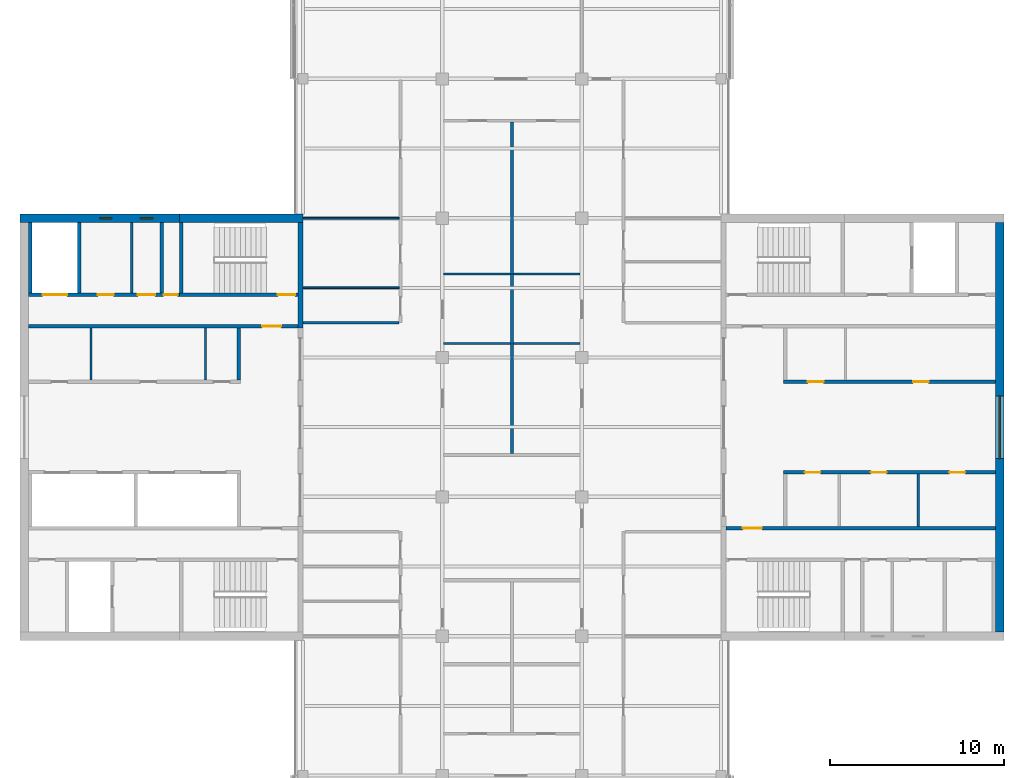
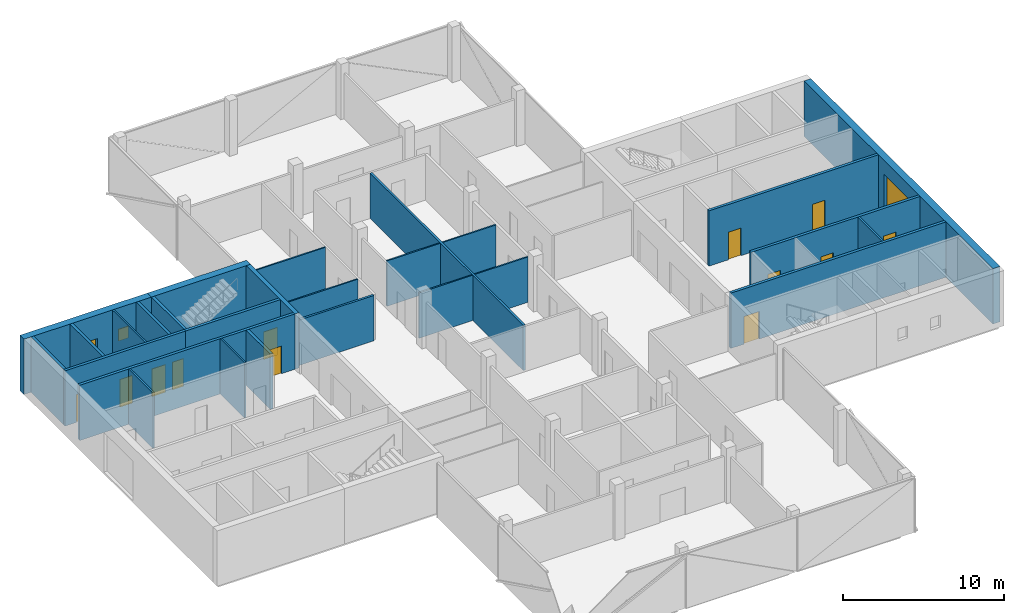
# One storey, part 11 of 16: 27 walls, 12 doors, 3 windows, 15 openings.
"""IFC4 building model written with IfcOpenShell, lengths in metres."""

from ifc_helpers import new_model, si_unit, direction, frame, frame_2d, origin, place, context, subcontext, project, spatial, rectangle, extrude, material, layer, layer_set, constituent, constituent_set, type_object, element, fill, save


model = new_model("IFC4")

# Units and contexts
model_context = context("Model", 3, precision=1e-05, world=origin(), true_north=direction((0.0, 1.0)))
body_context = subcontext(model_context, "Body", "Model", "MODEL_VIEW")
ifc_project = project(units=[si_unit("LENGTHUNIT", "METRE"), si_unit("AREAUNIT", "SQUARE_METRE"), si_unit("VOLUMEUNIT", "CUBIC_METRE"), si_unit("PLANEANGLEUNIT", "RADIAN"), si_unit("MASSUNIT", "GRAM", prefix="KILO")], contexts=[model_context])

# Site, building, storey
site_placement = place(None, origin())
site = spatial("IfcSite", under=ifc_project, at=site_placement, CompositionType="ELEMENT")
building_placement = place(site_placement, origin())
building = spatial("IfcBuilding", under=site, at=building_placement, Name="Crosswind Convention Tower", CompositionType="ELEMENT")
storey_placement = place(building_placement, frame((0.0, 0.0, 274.5)))
storey = spatial("IfcBuildingStorey", under=building, at=storey_placement, Name="L59", CompositionType="ELEMENT", Elevation=274.5)

# Walls
ifc_material_1 = material(Name="Concrete blockwork", Category="masonry")
ifc_layer_1 = layer(ifc_material_1, 0.199951171875)
ifc_layer_set_1 = layer_set([ifc_layer_1], Name="Blockwork partition wall 200")
wall_type_1 = type_object("IfcWallType", Name="Blockwork partition wall 200", PredefinedType="PARTITIONING", material=ifc_layer_set_1)
wall_1_placement = place(storey_placement, frame((104.89990234375, 111.75, 0.0), z_axis=(0.0, 0.0, 1.0), x_axis=(0.0, -1.0, 0.0)))
element("IfcWall", 1, at=wall_1_placement, inside=storey, type_object=wall_type_1, Name="Wall MRSE W L59", PredefinedType="PARTITIONING", context=body_context, shape_type="SweptSolid", body=[
    extrude(rectangle(XDim=4.050048828125, YDim=0.199951171875, at=frame_2d((2.02490234375, 0.0))), origin(), (0.0, 0.0, 1.0), 4.199951171875),
])
ifc_material_2 = material(Name="Concrete C50/60", Category="concrete")
ifc_layer_2 = layer(ifc_material_2, 0.300048828125)
ifc_layer_set_2 = layer_set([ifc_layer_2], Name="Concrete C50/60")
wall_type_2 = type_object("IfcWallType", Name="Concrete inner core wall 300", PredefinedType="SHEAR", material=ifc_layer_set_2)
wall_2_placement = place(storey_placement, frame((112.85009765625, 111.75, 0.0), z_axis=(0.0, 0.0, 1.0), x_axis=(0.0, -1.0, 0.0)))
element("IfcWall", 2, at=wall_2_placement, inside=storey, type_object=wall_type_2, Name="Wall EM W L59", PredefinedType="SHEAR", context=body_context, shape_type="SweptSolid", body=[
    extrude(rectangle(XDim=6.050048828125, YDim=0.300048828125, at=frame_2d((3.02490234375, 0.0))), origin(), (0.0, 0.0, 1.0), 4.199951171875),
])

# Wall, openings, doors
ifc_layer_3 = layer(ifc_material_2, 0.199951171875)
ifc_layer_set_3 = layer_set([ifc_layer_3], Name="Concrete C50/60")
wall_type_3 = type_object("IfcWallType", Name="Concrete shaft and stair wall 200", PredefinedType="SHEAR", material=ifc_layer_set_3)
wall_3_placement = place(storey_placement, frame((140.60009765625, 102.60009765625, 0.0), z_axis=(0.0, 0.0, 1.0), x_axis=(1.0, 0.0, 0.0)))
wall_3 = element("IfcWall", 3, at=wall_3_placement, inside=storey, type_object=wall_type_3, Name="Wall RPFRONT E L59", PredefinedType="SHEAR", context=body_context, shape_type="SweptSolid", body=[
    extrude(rectangle(XDim=12.14990234375, YDim=0.199951171875, at=frame_2d((6.074951171875, 0.0))), origin(), (0.0, 0.0, 1.0), 4.199951171875),
])
opening_1_placement = place(wall_3_placement, frame((1.391845703125, 0.0, 0.0)))
opening_1 = element("IfcOpeningElement", 4, at=opening_1_placement, cuts=wall_3, Name="Opening D106", PredefinedType="OPENING", context=body_context, shape_type="SweptSolid", body=[
    extrude(rectangle(XDim=0.89990234375, YDim=2.10009765625, at=frame_2d((0.449951171875, 1.050048828125))), frame((0.0, 0.10986328125, 0.0), z_axis=(0.0, -1.0, 0.0), x_axis=(1.0, 0.0, 0.0)), (0.0, 0.0, 1.0), 0.219970703125),
])
opening_2_placement = place(wall_3_placement, frame((7.42919921875, 0.0, 0.0)))
opening_2 = element("IfcOpeningElement", 5, at=opening_2_placement, cuts=wall_3, Name="Opening D106", PredefinedType="OPENING", context=body_context, shape_type="SweptSolid", body=[
    extrude(rectangle(XDim=0.89990234375, YDim=2.10009765625, at=frame_2d((0.449951171875, 1.050048828125))), frame((0.0, 0.10986328125, 0.0), z_axis=(0.0, -1.0, 0.0), x_axis=(1.0, 0.0, 0.0)), (0.0, 0.0, 1.0), 0.219970703125),
])
ifc_material_3 = material(Name="Timber door", Category="wood")
door_type_1 = type_object("IfcDoorType", Name="Single leaf door 900x2100", OperationType="NOTDEFINED", PredefinedType="DOOR", material=ifc_material_3)
door_1_placement = place(opening_1_placement, origin())
door_1 = element("IfcDoor", 6, at=door_1_placement, inside=storey, type_object=door_type_1, Name="Door to tenant services room L59", ObjectType="D106", OperationType="SINGLE_SWING_RIGHT", OverallHeight=2.10009765625, OverallWidth=0.89990234375, PredefinedType="DOOR", context=body_context, shape_type="SweptSolid", body=[
    extrude(rectangle(XDim=0.89990234375, YDim=2.10009765625, at=frame_2d((0.449951171875, 1.050048828125))), frame((0.0, 0.02490234375, 0.0), z_axis=(0.0, -1.0, 0.0), x_axis=(1.0, 0.0, 0.0)), (0.0, 0.0, 1.0), 0.050048828125),
])
fill(opening_1, door_1)
door_2_placement = place(opening_2_placement, origin())
door_2 = element("IfcDoor", 7, at=door_2_placement, inside=storey, type_object=door_type_1, Name="Door to copy and print room L59", ObjectType="D106", OperationType="SINGLE_SWING_RIGHT", OverallHeight=2.10009765625, OverallWidth=0.89990234375, PredefinedType="DOOR", context=body_context, shape_type="SweptSolid", body=[
    extrude(rectangle(XDim=0.89990234375, YDim=2.10009765625, at=frame_2d((0.449951171875, 1.050048828125))), frame((0.0, 0.02490234375, 0.0), z_axis=(0.0, -1.0, 0.0), x_axis=(1.0, 0.0, 0.0)), (0.0, 0.0, 1.0), 0.050048828125),
])
fill(opening_2, door_2)

wall_4_placement = place(storey_placement, frame((140.60009765625, 97.39990234375, 0.0), z_axis=(0.0, 0.0, 1.0), x_axis=(1.0, 0.0, 0.0)))
wall_4 = element("IfcWall", 8, at=wall_4_placement, inside=storey, type_object=wall_type_3, Name="Wall RMFRONT E L59", PredefinedType="SHEAR", context=body_context, shape_type="SweptSolid", body=[
    extrude(rectangle(XDim=12.14990234375, YDim=0.199951171875, at=frame_2d((6.074951171875, 0.0))), origin(), (0.0, 0.0, 1.0), 4.199951171875),
])
opening_3_placement = place(wall_4_placement, frame((1.21240234375, 0.0, 0.0)))
opening_3 = element("IfcOpeningElement", 9, at=opening_3_placement, cuts=wall_4, Name="Opening D106", PredefinedType="OPENING", context=body_context, shape_type="SweptSolid", body=[
    extrude(rectangle(XDim=0.89990234375, YDim=2.10009765625, at=frame_2d((0.449951171875, 1.050048828125))), frame((0.0, 0.10986328125, 0.0), z_axis=(0.0, -1.0, 0.0), x_axis=(1.0, 0.0, 0.0)), (0.0, 0.0, 1.0), 0.219970703125),
])
opening_4_placement = place(wall_4_placement, frame((5.008056640625, 0.0, 0.0)))
opening_4 = element("IfcOpeningElement", 10, at=opening_4_placement, cuts=wall_4, Name="Opening D106", PredefinedType="OPENING", context=body_context, shape_type="SweptSolid", body=[
    extrude(rectangle(XDim=0.89990234375, YDim=2.10009765625, at=frame_2d((0.449951171875, 1.050048828125))), frame((0.0, 0.10986328125, 0.0), z_axis=(0.0, -1.0, 0.0), x_axis=(1.0, 0.0, 0.0)), (0.0, 0.0, 1.0), 0.219970703125),
])
opening_5_placement = place(wall_4_placement, frame((9.5205078125, 0.0, 0.0)))
opening_5 = element("IfcOpeningElement", 11, at=opening_5_placement, cuts=wall_4, Name="Opening D106", PredefinedType="OPENING", context=body_context, shape_type="SweptSolid", body=[
    extrude(rectangle(XDim=0.89990234375, YDim=2.10009765625, at=frame_2d((0.449951171875, 1.050048828125))), frame((0.0, 0.10986328125, 0.0), z_axis=(0.0, -1.0, 0.0), x_axis=(1.0, 0.0, 0.0)), (0.0, 0.0, 1.0), 0.219970703125),
])
door_3_placement = place(opening_3_placement, frame((0.89990234375, 0.0, 0.0), z_axis=(0.0, 0.0, 1.0), x_axis=(-1.0, 0.0, 0.0)))
door_3 = element("IfcDoor", 12, at=door_3_placement, inside=storey, type_object=door_type_1, Name="Door to copy and print room L59", ObjectType="D106", OperationType="SINGLE_SWING_LEFT", OverallHeight=2.10009765625, OverallWidth=0.89990234375, PredefinedType="DOOR", context=body_context, shape_type="SweptSolid", body=[
    extrude(rectangle(XDim=0.89990234375, YDim=2.10009765625, at=frame_2d((0.449951171875, 1.050048828125))), frame((0.0, 0.02490234375, 0.0), z_axis=(0.0, -1.0, 0.0), x_axis=(1.0, 0.0, 0.0)), (0.0, 0.0, 1.0), 0.050048828125),
])
fill(opening_3, door_3)
door_4_placement = place(opening_4_placement, frame((0.89990234375, 0.0, 0.0), z_axis=(0.0, 0.0, 1.0), x_axis=(-1.0, 0.0, 0.0)))
door_4 = element("IfcDoor", 13, at=door_4_placement, inside=storey, type_object=door_type_1, Name="Door to meeting room L59", ObjectType="D106", OperationType="SINGLE_SWING_LEFT", OverallHeight=2.10009765625, OverallWidth=0.89990234375, PredefinedType="DOOR", context=body_context, shape_type="SweptSolid", body=[
    extrude(rectangle(XDim=0.89990234375, YDim=2.10009765625, at=frame_2d((0.449951171875, 1.050048828125))), frame((0.0, 0.02490234375, 0.0), z_axis=(0.0, -1.0, 0.0), x_axis=(1.0, 0.0, 0.0)), (0.0, 0.0, 1.0), 0.050048828125),
])
fill(opening_4, door_4)
door_5_placement = place(opening_5_placement, frame((0.89990234375, 0.0, 0.0), z_axis=(0.0, 0.0, 1.0), x_axis=(-1.0, 0.0, 0.0)))
door_5 = element("IfcDoor", 14, at=door_5_placement, inside=storey, type_object=door_type_1, Name="Door to pantry L59", ObjectType="D106", OperationType="SINGLE_SWING_LEFT", OverallHeight=2.10009765625, OverallWidth=0.89990234375, PredefinedType="DOOR", context=body_context, shape_type="SweptSolid", body=[
    extrude(rectangle(XDim=0.89990234375, YDim=2.10009765625, at=frame_2d((0.449951171875, 1.050048828125))), frame((0.0, 0.02490234375, 0.0), z_axis=(0.0, -1.0, 0.0), x_axis=(1.0, 0.0, 0.0)), (0.0, 0.0, 1.0), 0.050048828125),
])
fill(opening_5, door_5)

# Wall, opening, door
wall_5_placement = place(storey_placement, frame((137.300048828125, 94.199951171875, 0.0), z_axis=(0.0, 0.0, 1.0), x_axis=(1.0, 0.0, 0.0)))
wall_5 = element("IfcWall", 15, at=wall_5_placement, inside=storey, type_object=wall_type_3, Name="Wall HM E L59", PredefinedType="SHEAR", context=body_context, shape_type="SweptSolid", body=[
    extrude(rectangle(XDim=15.449951171875, YDim=0.199951171875, at=frame_2d((7.72509765625, 0.0))), origin(), (0.0, 0.0, 1.0), 4.199951171875),
])
opening_6_placement = place(wall_5_placement, frame((0.949951171875, 0.0, 0.0)))
opening_6 = element("IfcOpeningElement", 16, at=opening_6_placement, cuts=wall_5, Name="Opening D104", PredefinedType="OPENING", context=body_context, shape_type="SweptSolid", body=[
    extrude(rectangle(XDim=1.10009765625, YDim=2.10009765625, at=frame_2d((0.550048828125, 1.050048828125))), frame((0.0, 0.10986328125, 0.0), z_axis=(0.0, -1.0, 0.0), x_axis=(1.0, 0.0, 0.0)), (0.0, 0.0, 1.0), 0.219970703125),
])
ifc_material_4 = material(Name="Steel fire door", Category="steel")
door_type_2 = type_object("IfcDoorType", Name="Fire-rated single door 1100x2100", OperationType="NOTDEFINED", PredefinedType="DOOR", material=ifc_material_4)
door_6_placement = place(opening_6_placement, origin())
door_6 = element("IfcDoor", 17, at=door_6_placement, inside=storey, type_object=door_type_2, Name="Corridor door L59", ObjectType="D104", OperationType="SINGLE_SWING_LEFT", OverallHeight=2.10009765625, OverallWidth=1.10009765625, PredefinedType="DOOR", context=body_context, shape_type="SweptSolid", body=[
    extrude(rectangle(XDim=1.10009765625, YDim=2.10009765625, at=frame_2d((0.550048828125, 1.050048828125))), frame((0.0, 0.02490234375, 0.0), z_axis=(0.0, -1.0, 0.0), x_axis=(1.0, 0.0, 0.0)), (0.0, 0.0, 1.0), 0.050048828125),
])
fill(opening_6, door_6)

# Wall
wall_6_placement = place(storey_placement, frame((109.300048828125, 105.699951171875, 0.0), z_axis=(0.0, 0.0, 1.0), x_axis=(0.0, -1.0, 0.0)))
element("IfcWall", 18, at=wall_6_placement, inside=storey, type_object=wall_type_3, Name="Wall RMEND W L59", PredefinedType="SHEAR", context=body_context, shape_type="SweptSolid", body=[
    extrude(rectangle(XDim=3.0, YDim=0.199951171875, at=frame_2d((1.5, 0.0))), origin(), (0.0, 0.0, 1.0), 4.199951171875),
])

# Wall, opening, door
wall_7_placement = place(storey_placement, frame((112.699951171875, 105.800048828125, 0.0), z_axis=(0.0, 0.0, 1.0), x_axis=(-1.0, 0.0, 0.0)))
wall_7 = element("IfcWall", 19, at=wall_7_placement, inside=storey, type_object=wall_type_3, Name="Wall HM W L59", PredefinedType="SHEAR", context=body_context, shape_type="SweptSolid", body=[
    extrude(rectangle(XDim=15.449951171875, YDim=0.199951171875, at=frame_2d((7.72509765625, 0.0))), origin(), (0.0, 0.0, 1.0), 4.199951171875),
])
opening_7_placement = place(wall_7_placement, frame((0.949951171875, 0.0, 0.0)))
opening_7 = element("IfcOpeningElement", 20, at=opening_7_placement, cuts=wall_7, Name="Opening D104", PredefinedType="OPENING", context=body_context, shape_type="SweptSolid", body=[
    extrude(rectangle(XDim=1.10009765625, YDim=2.10009765625, at=frame_2d((0.550048828125, 1.050048828125))), frame((0.0, 0.10986328125, 0.0), z_axis=(0.0, -1.0, 0.0), x_axis=(1.0, 0.0, 0.0)), (0.0, 0.0, 1.0), 0.219970703125),
])
door_7_placement = place(opening_7_placement, origin())
door_7 = element("IfcDoor", 21, at=door_7_placement, inside=storey, type_object=door_type_2, Name="Corridor door L59", ObjectType="D104", OperationType="SINGLE_SWING_LEFT", OverallHeight=2.10009765625, OverallWidth=1.10009765625, PredefinedType="DOOR", context=body_context, shape_type="SweptSolid", body=[
    extrude(rectangle(XDim=1.10009765625, YDim=2.10009765625, at=frame_2d((0.550048828125, 1.050048828125))), frame((0.0, 0.02490234375, 0.0), z_axis=(0.0, -1.0, 0.0), x_axis=(1.0, 0.0, 0.0)), (0.0, 0.0, 1.0), 0.050048828125),
])
fill(opening_7, door_7)

# Walls
for number, where, z_axis, x_axis, name in (
    (22, (106.0, 111.75, 0.0), (0.0, 0.0, 1.0), (0.0, -1.0, 0.0), "Wall MSE W L59"),
    (23, (100.14990234375, 111.75, 0.0), (0.0, 0.0, 1.0), (0.0, -1.0, 0.0), "Wall MFSW W L59"),
    (24, (97.35009765625, 111.75, 0.0), (0.0, 0.0, 1.0), (0.0, -1.0, 0.0), "Wall MFSE W L59"),
):
    element("IfcWall", number, at=place(storey_placement, frame(where, z_axis=z_axis, x_axis=x_axis)), inside=storey, type_object=wall_type_3, Name=name, PredefinedType="SHEAR", context=body_context, shape_type="SweptSolid", body=[
        extrude(rectangle(XDim=4.050048828125, YDim=0.199951171875, at=frame_2d((2.02490234375, 0.0))), origin(), (0.0, 0.0, 1.0), 4.199951171875),
    ])

# Wall, opening, door
wall_8_placement = place(storey_placement, frame((112.699951171875, 107.60009765625, 0.0), z_axis=(0.0, 0.0, 1.0), x_axis=(-1.0, 0.0, 0.0)))
wall_8 = element("IfcWall", 25, at=wall_8_placement, inside=storey, type_object=wall_type_3, Name="Wall MCW W L59", PredefinedType="SHEAR", context=body_context, shape_type="SweptSolid", body=[
    extrude(rectangle(XDim=6.800048828125, YDim=0.199951171875, at=frame_2d((3.39990234375, 0.0))), origin(), (0.0, 0.0, 1.0), 4.199951171875),
])
opening_8_placement = place(wall_8_placement, frame((0.14990234375, 0.0, 0.0)))
opening_8 = element("IfcOpeningElement", 26, at=opening_8_placement, cuts=wall_8, Name="Opening D103", PredefinedType="OPENING", context=body_context, shape_type="SweptSolid", body=[
    extrude(rectangle(XDim=1.0, YDim=2.10009765625, at=frame_2d((0.5, 1.050048828125))), frame((0.0, 0.10986328125, 0.0), z_axis=(0.0, -1.0, 0.0), x_axis=(1.0, 0.0, 0.0)), (0.0, 0.0, 1.0), 0.219970703125),
])
door_type_3 = type_object("IfcDoorType", Name="Fire-rated single door 1000x2100", OperationType="NOTDEFINED", PredefinedType="DOOR", material=ifc_material_4)
door_8_placement = place(opening_8_placement, frame((1.0, 0.0, 0.0), z_axis=(0.0, 0.0, 1.0), x_axis=(-1.0, 0.0, 0.0)))
door_8 = element("IfcDoor", 27, at=door_8_placement, inside=storey, type_object=door_type_3, Name="Stair ST4 door L59", ObjectType="D103", OperationType="SINGLE_SWING_RIGHT", OverallHeight=2.10009765625, OverallWidth=1.0, PredefinedType="DOOR", context=body_context, shape_type="SweptSolid", body=[
    extrude(rectangle(XDim=1.0, YDim=2.10009765625, at=frame_2d((0.5, 1.050048828125))), frame((0.0, 0.02490234375, 0.0), z_axis=(0.0, -1.0, 0.0), x_axis=(1.0, 0.0, 0.0)), (0.0, 0.0, 1.0), 0.050048828125),
])
fill(opening_8, door_8)

# Wall, openings, doors
wall_9_placement = place(storey_placement, frame((105.89990234375, 107.60009765625, 0.0), z_axis=(0.0, 0.0, 1.0), x_axis=(-1.0, 0.0, 0.0)))
wall_9 = element("IfcWall", 28, at=wall_9_placement, inside=storey, type_object=wall_type_3, Name="Wall MCX W L59", PredefinedType="SHEAR", context=body_context, shape_type="SweptSolid", body=[
    extrude(rectangle(XDim=8.64990234375, YDim=0.199951171875, at=frame_2d((4.324951171875, 0.0))), origin(), (0.0, 0.0, 1.0), 4.199951171875),
])
opening_9_placement = place(wall_9_placement, frame((0.10009765625, 0.0, 0.0)))
opening_9 = element("IfcOpeningElement", 29, at=opening_9_placement, cuts=wall_9, Name="Opening D105", PredefinedType="OPENING", context=body_context, shape_type="SweptSolid", body=[
    extrude(rectangle(XDim=0.800048828125, YDim=2.10009765625, at=frame_2d((0.39990234375, 1.050048828125))), frame((0.0, 0.10986328125, 0.0), z_axis=(0.0, -1.0, 0.0), x_axis=(1.0, 0.0, 0.0)), (0.0, 0.0, 1.0), 0.219970703125),
])
opening_10_placement = place(wall_9_placement, frame((1.3876953125, 0.0, 0.0)))
opening_10 = element("IfcOpeningElement", 30, at=opening_10_placement, cuts=wall_9, Name="Opening D103", PredefinedType="OPENING", context=body_context, shape_type="SweptSolid", body=[
    extrude(rectangle(XDim=1.0, YDim=2.10009765625, at=frame_2d((0.5, 1.050048828125))), frame((0.0, 0.10986328125, 0.0), z_axis=(0.0, -1.0, 0.0), x_axis=(1.0, 0.0, 0.0)), (0.0, 0.0, 1.0), 0.219970703125),
])
opening_11_placement = place(wall_9_placement, frame((3.775146484375, 0.0, 0.0)))
opening_11 = element("IfcOpeningElement", 31, at=opening_11_placement, cuts=wall_9, Name="Opening D106", PredefinedType="OPENING", context=body_context, shape_type="SweptSolid", body=[
    extrude(rectangle(XDim=0.89990234375, YDim=2.10009765625, at=frame_2d((0.449951171875, 1.050048828125))), frame((0.0, 0.10986328125, 0.0), z_axis=(0.0, -1.0, 0.0), x_axis=(1.0, 0.0, 0.0)), (0.0, 0.0, 1.0), 0.219970703125),
])
opening_12_placement = place(wall_9_placement, frame((6.449951171875, 0.0, 0.0)))
opening_12 = element("IfcOpeningElement", 32, at=opening_12_placement, cuts=wall_9, Name="Opening LD2", PredefinedType="OPENING", context=body_context, shape_type="SweptSolid", body=[
    extrude(rectangle(XDim=1.39990234375, YDim=2.10009765625, at=frame_2d((0.699951171875, 1.050048828125))), frame((0.0, 0.10986328125, 0.0), z_axis=(0.0, -1.0, 0.0), x_axis=(1.0, 0.0, 0.0)), (0.0, 0.0, 1.0), 0.219970703125),
])
door_9_placement = place(opening_10_placement, frame((1.0, 0.0, 0.0), z_axis=(0.0, 0.0, 1.0), x_axis=(-1.0, 0.0, 0.0)))
door_9 = element("IfcDoor", 33, at=door_9_placement, inside=storey, type_object=door_type_3, Name="Door to accessible wc L59", ObjectType="D103", OperationType="SINGLE_SWING_LEFT", OverallHeight=2.10009765625, OverallWidth=1.0, PredefinedType="DOOR", context=body_context, shape_type="SweptSolid", body=[
    extrude(rectangle(XDim=1.0, YDim=2.10009765625, at=frame_2d((0.5, 1.050048828125))), frame((0.0, 0.02490234375, 0.0), z_axis=(0.0, -1.0, 0.0), x_axis=(1.0, 0.0, 0.0)), (0.0, 0.0, 1.0), 0.050048828125),
])
fill(opening_10, door_9)
ifc_material_5 = material(Name="Stainless steel", Category="steel")
door_type_4 = type_object("IfcDoorType", Name="Lift landing door 1400x2100", OperationType="DOUBLE_DOOR_SLIDING", PredefinedType="DOOR", material=ifc_material_5)
door_10_placement = place(opening_12_placement, origin())
door_10 = element("IfcDoor", 34, at=door_10_placement, inside=storey, type_object=door_type_4, Name="Landing door SV2 L59", ObjectType="LD2", OperationType="DOUBLE_DOOR_SLIDING", OverallHeight=2.10009765625, OverallWidth=1.39990234375, PredefinedType="DOOR", context=body_context, shape_type="SweptSolid", body=[
    extrude(rectangle(XDim=1.39990234375, YDim=2.10009765625, at=frame_2d((0.699951171875, 1.050048828125))), frame((0.0, 0.02490234375, 0.0), z_axis=(0.0, -1.0, 0.0), x_axis=(1.0, 0.0, 0.0)), (0.0, 0.0, 1.0), 0.050048828125),
])
fill(opening_12, door_10)
door_type_5 = type_object("IfcDoorType", Name="Riser access door 800x2100", OperationType="NOTDEFINED", PredefinedType="DOOR", material=ifc_material_4)
door_11_placement = place(opening_9_placement, frame((0.800048828125, 0.0, 0.0), z_axis=(0.0, 0.0, 1.0), x_axis=(-1.0, 0.0, 0.0)))
door_11 = element("IfcDoor", 35, at=door_11_placement, inside=storey, type_object=door_type_5, Name="Riser door L59", ObjectType="D105", OperationType="SINGLE_SWING_LEFT", OverallHeight=2.10009765625, OverallWidth=0.800048828125, PredefinedType="DOOR", context=body_context, shape_type="SweptSolid", body=[
    extrude(rectangle(XDim=0.800048828125, YDim=2.10009765625, at=frame_2d((0.39990234375, 1.050048828125))), frame((0.0, 0.02490234375, 0.0), z_axis=(0.0, -1.0, 0.0), x_axis=(1.0, 0.0, 0.0)), (0.0, 0.0, 1.0), 0.050048828125),
])
fill(opening_9, door_11)
door_12_placement = place(opening_11_placement, frame((0.89990234375, 0.0, 0.0), z_axis=(0.0, 0.0, 1.0), x_axis=(-1.0, 0.0, 0.0)))
door_12 = element("IfcDoor", 36, at=door_12_placement, inside=storey, type_object=door_type_1, Name="Door to wc L59", ObjectType="D106", OperationType="SINGLE_SWING_LEFT", OverallHeight=2.10009765625, OverallWidth=0.89990234375, PredefinedType="DOOR", context=body_context, shape_type="SweptSolid", body=[
    extrude(rectangle(XDim=0.89990234375, YDim=2.10009765625, at=frame_2d((0.449951171875, 1.050048828125))), frame((0.0, 0.02490234375, 0.0), z_axis=(0.0, -1.0, 0.0), x_axis=(1.0, 0.0, 0.0)), (0.0, 0.0, 1.0), 0.050048828125),
])
fill(opening_11, door_12)

# Walls
ifc_material_6 = material(Name="Gypsum plasterboard partition", Category="gypsum")
ifc_layer_4 = layer(ifc_material_6, 0.125)
ifc_layer_set_4 = layer_set([ifc_layer_4], Name="Drywall partition wall 125")
wall_type_4 = type_object("IfcWallType", Name="Drywall partition wall 125", PredefinedType="PARTITIONING", material=ifc_layer_set_4)
for number, where, z_axis, x_axis, name in (
    (37, (148.32861328125, 94.300048828125, 0.0), (0.0, 0.0, 1.0), (0.0, 1.0, 0.0), "Wall RMP2 E L59"),
    (38, (107.407470703125, 105.699951171875, 0.0), (0.0, 0.0, 1.0), (0.0, -1.0, 0.0), "Wall RMP1 W L59"),
    (39, (100.8349609375, 105.699951171875, 0.0), (0.0, 0.0, 1.0), (0.0, -1.0, 0.0), "Wall RMP2 W L59"),
):
    element("IfcWall", number, at=place(storey_placement, frame(where, z_axis=z_axis, x_axis=x_axis)), inside=storey, type_object=wall_type_4, Name=name, PredefinedType="PARTITIONING", context=body_context, shape_type="SweptSolid", body=[
        extrude(rectangle(XDim=3.0, YDim=0.125, at=frame_2d((1.5, 0.0))), origin(), (0.0, 0.0, 1.0), 4.199951171875),
    ])
wall_10_placement = place(storey_placement, frame((103.162109375, 111.75, 0.0), z_axis=(0.0, 0.0, 1.0), x_axis=(0.0, -1.0, 0.0)))
element("IfcWall", 40, at=wall_10_placement, inside=storey, type_object=wall_type_4, Name="Wall MWP1 W L59", PredefinedType="PARTITIONING", context=body_context, shape_type="SweptSolid", body=[
    extrude(rectangle(XDim=4.050048828125, YDim=0.125, at=frame_2d((2.02490234375, 0.0))), origin(), (0.0, 0.0, 1.0), 4.199951171875),
])
ifc_material_7 = material(Name="Plasterboard partition", Category="gypsum")
ifc_layer_5 = layer(ifc_material_7, 0.10009765625)
ifc_layer_set_5 = layer_set([ifc_layer_5], Name="PARTITION 100 METAL STUD")
wall_type_5 = type_object("IfcWallType", Name="PARTITION 100 METAL STUD", PredefinedType="PARTITIONING", material=ifc_layer_set_5)
for number, where, z_axis, x_axis, name in (
    (41, (113.0, 108.0, 0.0), (0.0, 0.0, 1.0), (1.0, 0.0, 0.0), "Partition wall WT40"),
    (42, (113.0, 112.0, 0.0), (0.0, 0.0, 1.0), (1.0, 0.0, 0.0), "Partition wall WT40"),
):
    element("IfcWall", number, at=place(storey_placement, frame(where, z_axis=z_axis, x_axis=x_axis)), inside=storey, type_object=wall_type_5, Name=name, PredefinedType="PARTITIONING", context=body_context, shape_type="SweptSolid", body=[
        extrude(rectangle(XDim=5.52490234375, YDim=0.10009765625, at=frame_2d((2.762451171875, 0.0))), origin(), (0.0, 0.0, 1.0), 3.44287109375),
    ])
wall_11_placement = place(storey_placement, frame((121.074951171875, 104.800048828125, 0.0), z_axis=(0.0, 0.0, 1.0), x_axis=(1.0, 0.0, 0.0)))
element("IfcWall", 43, at=wall_11_placement, inside=storey, type_object=wall_type_5, Name="Partition wall WT40", PredefinedType="PARTITIONING", context=body_context, shape_type="SweptSolid", body=[
    extrude(rectangle(XDim=3.85009765625, YDim=0.10009765625, at=frame_2d((1.925048828125, 0.0))), origin(), (0.0, 0.0, 1.0), 3.44287109375),
])
wall_12_placement = place(storey_placement, frame((125.074951171875, 104.800048828125, 0.0), z_axis=(0.0, 0.0, 1.0), x_axis=(1.0, 0.0, 0.0)))
element("IfcWall", 44, at=wall_12_placement, inside=storey, type_object=wall_type_5, Name="Partition wall WT40", PredefinedType="PARTITIONING", context=body_context, shape_type="SweptSolid", body=[
    extrude(rectangle(XDim=3.824951171875, YDim=0.10009765625, at=frame_2d((1.91259765625, 0.0))), origin(), (0.0, 0.0, 1.0), 3.44287109375),
])
wall_13_placement = place(storey_placement, frame((121.074951171875, 108.800048828125, 0.0), z_axis=(0.0, 0.0, 1.0), x_axis=(1.0, 0.0, 0.0)))
element("IfcWall", 45, at=wall_13_placement, inside=storey, type_object=wall_type_5, Name="Partition wall WT40", PredefinedType="PARTITIONING", context=body_context, shape_type="SweptSolid", body=[
    extrude(rectangle(XDim=3.85009765625, YDim=0.10009765625, at=frame_2d((1.925048828125, 0.0))), origin(), (0.0, 0.0, 1.0), 3.44287109375),
])
wall_14_placement = place(storey_placement, frame((125.074951171875, 108.800048828125, 0.0), z_axis=(0.0, 0.0, 1.0), x_axis=(1.0, 0.0, 0.0)))
element("IfcWall", 46, at=wall_14_placement, inside=storey, type_object=wall_type_5, Name="Partition wall WT40", PredefinedType="PARTITIONING", context=body_context, shape_type="SweptSolid", body=[
    extrude(rectangle(XDim=3.824951171875, YDim=0.10009765625, at=frame_2d((1.91259765625, 0.0))), origin(), (0.0, 0.0, 1.0), 3.44287109375),
])
ifc_material_8 = material(Name="Fire-board partition with mineral wool", Category="gypsum")
ifc_layer_6 = layer(ifc_material_8, 0.14990234375)
ifc_layer_set_6 = layer_set([ifc_layer_6], Name="TENANCY WALL 150 TWO-HOUR BOARD")
wall_type_6 = type_object("IfcWallType", Name="TENANCY WALL 150 TWO-HOUR BOARD", PredefinedType="PARTITIONING", material=ifc_layer_set_6)
wall_15_placement = place(storey_placement, frame((125.0, 98.47509765625, 0.0), z_axis=(0.0, 0.0, 1.0), x_axis=(0.0, 1.0, 0.0)))
element("IfcWall", 47, at=wall_15_placement, inside=storey, type_object=wall_type_6, Name="Tenancy wall WT41", PredefinedType="PARTITIONING", context=body_context, shape_type="SweptSolid", body=[
    extrude(rectangle(XDim=19.0498046875, YDim=0.14990234375, at=frame_2d((9.52490234375, 0.0))), origin(), (0.0, 0.0, 1.0), 3.44287109375),
])
wall_16_placement = place(storey_placement, frame((113.0, 106.0, 0.0), z_axis=(0.0, 0.0, 1.0), x_axis=(1.0, 0.0, 0.0)))
element("IfcWall", 48, at=wall_16_placement, inside=storey, type_object=wall_type_6, Name="Tenancy wall WT41", PredefinedType="PARTITIONING", context=body_context, shape_type="SweptSolid", body=[
    extrude(rectangle(XDim=5.52490234375, YDim=0.14990234375, at=frame_2d((2.762451171875, 0.0))), origin(), (0.0, 0.0, 1.0), 3.44287109375),
])

# Wall, opening, window
ifc_material_9 = material(Name="Concrete C60/75", Category="concrete")
ifc_constituent_1 = constituent(ifc_material_9, Name="Structure")
ifc_material_10 = material(Name="Terracotta rainscreen", Category="ceramic")
ifc_constituent_2 = constituent(ifc_material_10, Name="Facing")
ifc_constituent_set = constituent_set(constituents=[ifc_constituent_1, ifc_constituent_2], Name="Concrete C60/75, Terracotta rainscreen")
wall_type_7 = type_object("IfcWallType", Name="Terracotta rainscreen on concrete core wall 500", PredefinedType="SHEAR", material=ifc_constituent_set)
wall_17_placement = place(storey_placement, frame((153.0, 88.25, 0.0), z_axis=(0.0, 0.0, 1.0), x_axis=(0.0, 1.0, 0.0)))
wall_17 = element("IfcWall", 49, at=wall_17_placement, inside=storey, type_object=wall_type_7, Name="Wall O E L59", PredefinedType="SHEAR", context=body_context, shape_type="SweptSolid", body=[
    extrude(rectangle(XDim=23.5, YDim=0.5, at=frame_2d((11.75, 0.0))), origin(), (0.0, 0.0, 1.0), 4.199951171875),
])
opening_13_placement = place(wall_17_placement, frame((9.949951171875, 0.0, 0.14990234375)))
opening_13 = element("IfcOpeningElement", 50, at=opening_13_placement, cuts=wall_17, Name="Opening W1", PredefinedType="OPENING", context=body_context, shape_type="SweptSolid", body=[
    extrude(rectangle(XDim=3.60009765625, YDim=3.0, at=frame_2d((1.800048828125, 1.5))), frame((0.0, 0.260009765625, 0.0), z_axis=(0.0, -1.0, 0.0), x_axis=(1.0, 0.0, 0.0)), (0.0, 0.0, 1.0), 0.52001953125),
])
ifc_material_11 = material(Name="Clear laminated glass in aluminium frame", Category="aluminium")
window_type_1 = type_object("IfcWindowType", Name="Lobby end window 3600x3000", PartitioningType="SINGLE_PANEL", PredefinedType="WINDOW", material=ifc_material_11)
window_1_placement = place(opening_13_placement, origin())
window_1 = element("IfcWindow", 51, at=window_1_placement, inside=storey, type_object=window_type_1, Name="Lobby end window L59", ObjectType="W1", OverallHeight=3.0, OverallWidth=3.60009765625, PartitioningType="SINGLE_PANEL", PredefinedType="WINDOW", context=body_context, shape_type="SweptSolid", body=[
    extrude(rectangle(XDim=3.60009765625, YDim=3.0, at=frame_2d((1.800048828125, 1.5))), frame((0.0, 0.030029296875, 0.0), z_axis=(0.0, -1.0, 0.0), x_axis=(1.0, 0.0, 0.0)), (0.0, 0.0, 1.0), 0.06005859375),
])
fill(opening_13, window_1)

# Wall
wall_18_placement = place(storey_placement, frame((113.0, 112.0, 0.0), z_axis=(0.0, 0.0, 1.0), x_axis=(-1.0, 0.0, 0.0)))
element("IfcWall", 52, at=wall_18_placement, inside=storey, type_object=wall_type_7, Name="Wall S1 W L59", PredefinedType="SHEAR", context=body_context, shape_type="SweptSolid", body=[
    extrude(rectangle(XDim=7.10009765625, YDim=0.5, at=frame_2d((3.550048828125, 0.0))), origin(), (0.0, 0.0, 1.0), 4.199951171875),
])

# Wall, openings, windows
wall_19_placement = place(storey_placement, frame((105.89990234375, 112.0, 0.0), z_axis=(0.0, 0.0, 1.0), x_axis=(-1.0, 0.0, 0.0)))
wall_19 = element("IfcWall", 53, at=wall_19_placement, inside=storey, type_object=wall_type_7, Name="Wall S2 W L59", PredefinedType="SHEAR", context=body_context, shape_type="SweptSolid", body=[
    extrude(rectangle(XDim=9.14990234375, YDim=0.5, at=frame_2d((4.574951171875, 0.0))), origin(), (0.0, 0.0, 1.0), 4.199951171875),
])
opening_14_placement = place(wall_19_placement, frame((1.537841796875, 0.0, 1.5)))
opening_14 = element("IfcOpeningElement", 54, at=opening_14_placement, cuts=wall_19, Name="Opening W2", PredefinedType="OPENING", context=body_context, shape_type="SweptSolid", body=[
    extrude(rectangle(XDim=0.699951171875, YDim=0.89990234375, at=frame_2d((0.35009765625, 0.449951171875))), frame((0.0, 0.260009765625, 0.0), z_axis=(0.0, -1.0, 0.0), x_axis=(1.0, 0.0, 0.0)), (0.0, 0.0, 1.0), 0.52001953125),
])
opening_15_placement = place(wall_19_placement, frame((3.875244140625, 0.0, 1.5)))
opening_15 = element("IfcOpeningElement", 55, at=opening_15_placement, cuts=wall_19, Name="Opening W2", PredefinedType="OPENING", context=body_context, shape_type="SweptSolid", body=[
    extrude(rectangle(XDim=0.699951171875, YDim=0.89990234375, at=frame_2d((0.35009765625, 0.449951171875))), frame((0.0, 0.260009765625, 0.0), z_axis=(0.0, -1.0, 0.0), x_axis=(1.0, 0.0, 0.0)), (0.0, 0.0, 1.0), 0.52001953125),
])
ifc_material_12 = material(Name="Obscure glass in aluminium frame", Category="aluminium")
window_type_2 = type_object("IfcWindowType", Name="WC window 700x900", PartitioningType="SINGLE_PANEL", PredefinedType="WINDOW", material=ifc_material_12)
window_2_placement = place(opening_14_placement, origin())
window_2 = element("IfcWindow", 56, at=window_2_placement, inside=storey, type_object=window_type_2, Name="WC window L59", ObjectType="W2", OverallHeight=0.89990234375, OverallWidth=0.699951171875, PartitioningType="SINGLE_PANEL", PredefinedType="WINDOW", context=body_context, shape_type="SweptSolid", body=[
    extrude(rectangle(XDim=0.699951171875, YDim=0.89990234375, at=frame_2d((0.35009765625, 0.449951171875))), frame((0.0, 0.030029296875, 0.0), z_axis=(0.0, -1.0, 0.0), x_axis=(1.0, 0.0, 0.0)), (0.0, 0.0, 1.0), 0.06005859375),
])
fill(opening_14, window_2)
window_3_placement = place(opening_15_placement, origin())
window_3 = element("IfcWindow", 57, at=window_3_placement, inside=storey, type_object=window_type_2, Name="WC window L59", ObjectType="W2", OverallHeight=0.89990234375, OverallWidth=0.699951171875, PartitioningType="SINGLE_PANEL", PredefinedType="WINDOW", context=body_context, shape_type="SweptSolid", body=[
    extrude(rectangle(XDim=0.699951171875, YDim=0.89990234375, at=frame_2d((0.35009765625, 0.449951171875))), frame((0.0, 0.030029296875, 0.0), z_axis=(0.0, -1.0, 0.0), x_axis=(1.0, 0.0, 0.0)), (0.0, 0.0, 1.0), 0.06005859375),
])
fill(opening_15, window_3)

save(model, "model.ifc")
